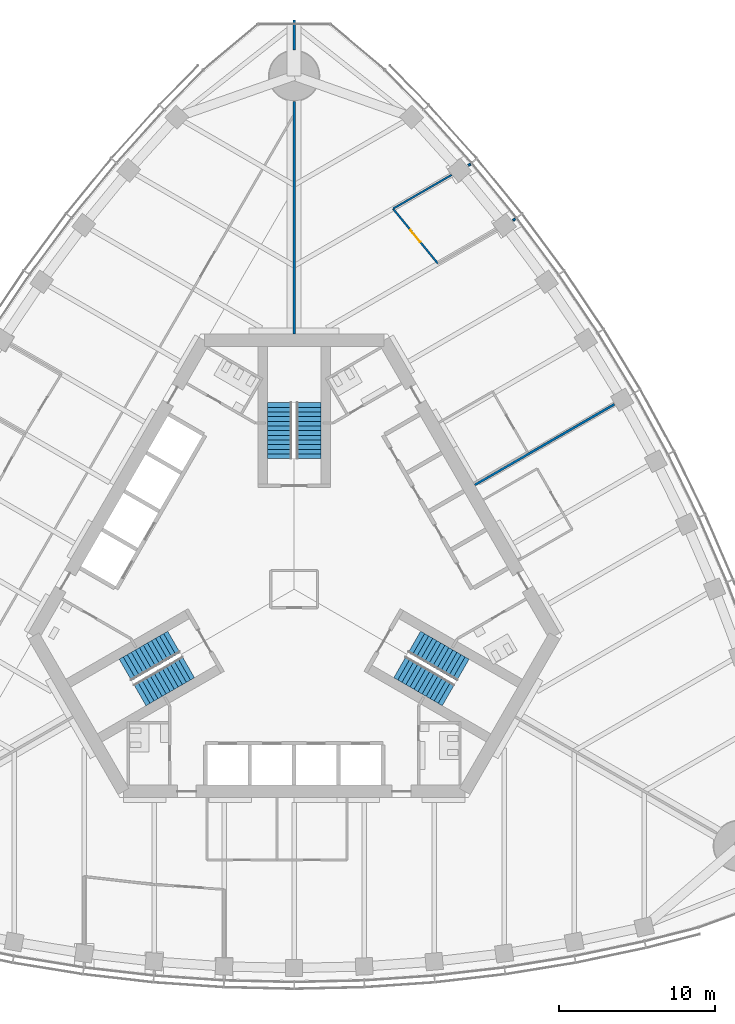
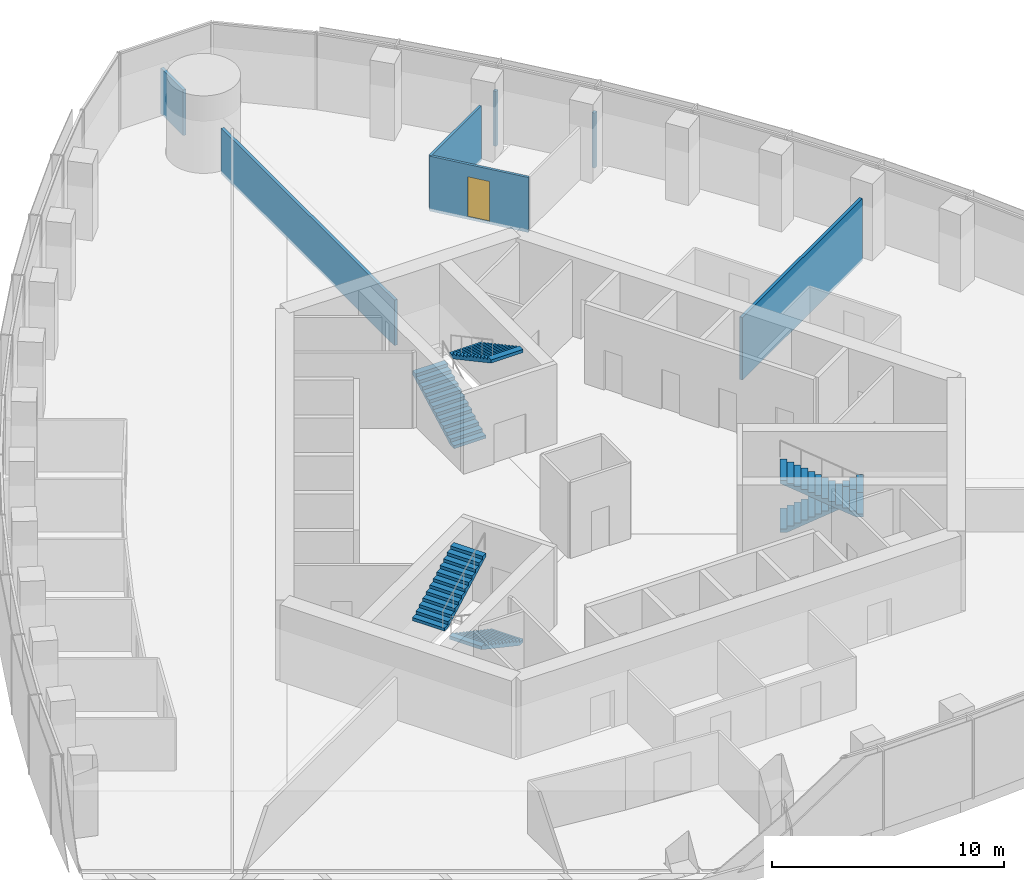
# One storey, part 14 of 19: 7 walls, 6 stair flights, 1 door, 1 opening, 3 elements without a shape of their own.
"""IFC4 building model written with IfcOpenShell, lengths in metres."""

import ifcopenshell
import ifcopenshell.guid

model = None  # the IFC model being written
_history = None  # IfcOwnerHistory: only IFC2X3 demands one
_inside = {}  # id of a spatial element -> (the spatial element, [elements in it])
_under = {}  # id of a project, library or spatial element -> (it, [spatial elements below it])
_declared = {}  # id of a project -> (the project, [libraries it declares])
_typed = {}  # id of a type object -> (the type object, [elements of that type])
_made_of = {}  # id of a material, layer set ... -> (it, [elements and type objects made of it])


def new_model(schema):
    """Start an empty IFC model of exactly this schema.

    Asked for "IFC4X3", IfcOpenShell would pick the latest addendum, in which some entities
    have other attributes; the version numbers below select the first issue.
    IFC2X3 requires an IfcOwnerHistory on every rooted entity: one is made here for all.
    """
    global model, _history
    if schema == "IFC4X3":
        model = ifcopenshell.file(schema_version=(4, 3, 0, 0))
    else:
        model = ifcopenshell.file(schema=schema)
    _inside.clear()
    _under.clear()
    _declared.clear()
    _typed.clear()
    _made_of.clear()
    _history = None
    if model.schema == "IFC2X3":
        org = make("IfcOrganization", Name="unknown")
        user = make(
            "IfcPersonAndOrganization",
            ThePerson=make("IfcPerson", FamilyName="unknown"),
            TheOrganization=org,
        )
        app = make(
            "IfcApplication",
            ApplicationDeveloper=org,
            Version="unknown",
            ApplicationFullName="unknown",
            ApplicationIdentifier="unknown",
        )
        _history = make(
            "IfcOwnerHistory",
            OwningUser=user,
            OwningApplication=app,
            ChangeAction="ADDED",
            CreationDate=0,
        )
    return model


def make(cls, **values):
    """One entity of the class cls with the attributes given. An attribute that is None is left unset."""
    return model.create_entity(
        cls, **{name: value for name, value in values.items() if value is not None}
    )


def rooted(cls, **values):
    """An entity with a GlobalId (a new one), such as an element, a storey or a relation."""
    return make(cls, GlobalId=ifcopenshell.guid.new(), OwnerHistory=_history, **values)


def si_unit(unit_type, name, prefix=None):
    """IfcSIUnit, for example si_unit("LENGTHUNIT", "METRE", prefix="MILLI")."""
    return make("IfcSIUnit", UnitType=unit_type, Prefix=prefix, Name=name)


def assignment(units):
    """IfcUnitAssignment: the units of a project."""
    return None if units is None else make("IfcUnitAssignment", Units=units)


def point(xyz):
    """IfcCartesianPoint."""
    return None if xyz is None else make("IfcCartesianPoint", Coordinates=xyz)


def direction(xyz):
    """IfcDirection."""
    return None if xyz is None else make("IfcDirection", DirectionRatios=xyz)


def frame(location, z_axis=None, x_axis=None):
    """IfcAxis2Placement3D, a coordinate frame: its origin and axes. An axis left out is left unset."""
    return make(
        "IfcAxis2Placement3D",
        Location=point(location),
        Axis=direction(z_axis),
        RefDirection=direction(x_axis),
    )


def frame_2d(location, x_axis=None):
    """IfcAxis2Placement2D, a coordinate frame in the plane: its origin and x axis."""
    return make(
        "IfcAxis2Placement2D", Location=point(location), RefDirection=direction(x_axis)
    )


def origin():
    """The frame at (0, 0, 0) with its axes left unset."""
    return frame((0.0, 0.0, 0.0))


def place(relative_to, where):
    """IfcLocalPlacement: puts the frame where relative to a parent placement (None: the world)."""
    return make(
        "IfcLocalPlacement", PlacementRelTo=relative_to, RelativePlacement=where
    )


def context(
    kind, dimensions, precision=None, world=None, true_north=None, identifier=None
):
    """IfcGeometricRepresentationContext, for example the 3D "Model" context."""
    return make(
        "IfcGeometricRepresentationContext",
        ContextIdentifier=identifier,
        ContextType=kind,
        CoordinateSpaceDimension=dimensions,
        Precision=precision,
        WorldCoordinateSystem=world,
        TrueNorth=true_north,
    )


def subcontext(parent, identifier, kind, view, scale=None):
    """IfcGeometricRepresentationSubContext, for example "Body" below "Model"."""
    return make(
        "IfcGeometricRepresentationSubContext",
        ContextIdentifier=identifier,
        ContextType=kind,
        ParentContext=parent,
        TargetScale=scale,
        TargetView=view,
    )


def project(units=None, contexts=None):
    """IfcProject with its units and contexts."""
    return rooted(
        "IfcProject",
        Name="project",
        RepresentationContexts=contexts,
        UnitsInContext=assignment(units),
    )


def spatial(cls, under=None, at=None, **own):
    """A site, building, storey or space (cls), placed at a placement, below another one or the project."""
    s = rooted(cls, ObjectPlacement=at, **own)
    if under is not None:
        _under.setdefault(under.id(), (under, []))[1].append(s)
    return s


def polyline(points):
    """IfcPolyline through the points."""
    return make("IfcPolyline", Points=[point(p) for p in points])


def profile(cls, at=None, kind="AREA", **sizes):
    """A parametric profile (cls). Its sizes go by their IFC names, for example OverallWidth=200.0."""
    return make(cls, ProfileType=kind, Position=at, **sizes)


def rectangle(**sizes):
    """IfcRectangleProfileDef."""
    return profile("IfcRectangleProfileDef", **sizes)


def outline(outer, holes=None, kind="AREA"):
    """IfcArbitraryClosedProfileDef: a profile drawn as a closed curve; with holes, ...WithVoids."""
    if holes is None:
        return make("IfcArbitraryClosedProfileDef", ProfileType=kind, OuterCurve=outer)
    return make(
        "IfcArbitraryProfileDefWithVoids",
        ProfileType=kind,
        OuterCurve=outer,
        InnerCurves=holes,
    )


def extrude(swept, where, along, depth):
    """IfcExtrudedAreaSolid: the profile swept, set in the frame where, extruded along a direction by depth."""
    return make(
        "IfcExtrudedAreaSolid",
        SweptArea=swept,
        Position=where,
        ExtrudedDirection=direction(along),
        Depth=depth,
    )


def shape(context_of_items, identifier, shape_type, items):
    """IfcShapeRepresentation: the items that make up one representation, for example the "Body"."""
    return make(
        "IfcShapeRepresentation",
        ContextOfItems=context_of_items,
        RepresentationIdentifier=identifier,
        RepresentationType=shape_type,
        Items=items,
    )


def material(Name=None, Category=None):
    """IfcMaterial."""
    return make("IfcMaterial", Name=Name, Category=Category)


def layer(
    of_material, thickness, ventilated=None, Name=None, Category=None, Priority=None
):
    """IfcMaterialLayer: one layer of a wall or slab, of a material (None: an air gap)."""
    return make(
        "IfcMaterialLayer",
        Material=of_material,
        LayerThickness=thickness,
        IsVentilated=ventilated,
        Name=Name,
        Category=Category,
        Priority=Priority,
    )


def layer_set(layers, Name=None):
    """IfcMaterialLayerSet."""
    return make("IfcMaterialLayerSet", MaterialLayers=layers, LayerSetName=Name)


def made_of(thing, what):
    """Note that an element or type object is made of a material, layer set ...; save() writes the relation."""
    if what is not None:
        _made_of.setdefault(what.id(), (what, []))[1].append(thing)
    return thing


def type_object(cls, material=None, **own):
    """A type object (cls), such as IfcWallType, which elements share."""
    return made_of(rooted(cls, **own), material)


def element(
    cls,
    number,
    at=None,
    inside=None,
    cuts=None,
    type_object=None,
    material=None,
    context=None,
    identifier="Body",
    shape_type=None,
    held_by="IfcProductDefinitionShape",
    body=None,
    shapes=None,
    **own,
):
    """One element of the class cls, such as IfcWall. Its Tag is "e" and its number.

    at: its placement. inside: the storey or other place that contains it. cuts: it is an
    opening in that element (IfcRelVoidsElement). A single representation is given by context,
    identifier, shape_type and body (its items); several are given by shapes. held_by: the class
    of the entity that holds the representations. save() writes the other relations.
    """
    e = rooted(cls, Tag="e%d" % number, ObjectPlacement=at, **own)
    if body is not None:
        shapes = [shape(context, identifier, shape_type, body)]
    if shapes is not None:
        e.Representation = make(held_by, Representations=shapes)
    if inside is not None:
        _inside.setdefault(inside.id(), (inside, []))[1].append(e)
    if cuts is not None:
        rooted(
            "IfcRelVoidsElement", RelatingBuildingElement=cuts, RelatedOpeningElement=e
        )
    if type_object is not None:
        _typed.setdefault(type_object.id(), (type_object, []))[1].append(e)
    return made_of(e, material)


def fill(opening, filler):
    """IfcRelFillsElement: the door or window that sits in an opening."""
    return rooted(
        "IfcRelFillsElement",
        RelatingOpeningElement=opening,
        RelatedBuildingElement=filler,
    )


def aggregate(whole, parts):
    """IfcRelAggregates: a whole, such as a stair, and the parts it consists of."""
    return rooted("IfcRelAggregates", RelatingObject=whole, RelatedObjects=parts)


def save(model, path):
    """Write the relations noted so far, then the file.

    IfcRelAggregates (storeys below a building ...), IfcRelContainedInSpatialStructure (elements
    in a storey), IfcRelDefinesByType, IfcRelAssociatesMaterial and IfcRelDeclares: one each for
    every whole, place, type object, material and project.
    """
    for whole, parts in _under.values():
        aggregate(whole, parts)
    for where, things in _inside.values():
        rooted(
            "IfcRelContainedInSpatialStructure",
            RelatedElements=things,
            RelatingStructure=where,
        )
    for kind, things in _typed.values():
        rooted("IfcRelDefinesByType", RelatedObjects=things, RelatingType=kind)
    for what, things in _made_of.values():
        rooted("IfcRelAssociatesMaterial", RelatedObjects=things, RelatingMaterial=what)
    for by, libraries in _declared.values():
        rooted("IfcRelDeclares", RelatingContext=by, RelatedDefinitions=libraries)
    model.write(path)


model = new_model("IFC4")

# Units and contexts
model_context = context("Model", 3, precision=1e-05, world=origin(), true_north=direction((0.0, 1.0)))
body_context = subcontext(model_context, "Body", "Model", "MODEL_VIEW")
ifc_project = project(units=[si_unit("LENGTHUNIT", "METRE"), si_unit("AREAUNIT", "SQUARE_METRE"), si_unit("VOLUMEUNIT", "CUBIC_METRE"), si_unit("PLANEANGLEUNIT", "RADIAN"), si_unit("MASSUNIT", "GRAM", prefix="KILO")], contexts=[model_context])

# Site, building, storey
site_placement = place(None, origin())
site = spatial("IfcSite", under=ifc_project, at=site_placement, CompositionType="ELEMENT")
building_placement = place(site_placement, origin())
building = spatial("IfcBuilding", under=site, at=building_placement, Name="Trefoil Bronze Tower", CompositionType="ELEMENT")
storey_placement = place(building_placement, frame((0.0, 0.0, 206.5)))
storey = spatial("IfcBuildingStorey", under=building, at=storey_placement, Name="L47", CompositionType="ELEMENT", Elevation=206.5)

# Wall, opening, door
ifc_material_1 = material(Name="Glazed partition", Category="glass")
ifc_layer_1 = layer(ifc_material_1, 0.1201171875)
ifc_layer_set_1 = layer_set([ifc_layer_1], Name="Glazed partition 120")
wall_type_1 = type_object("IfcWallType", Name="Glazed partition 120", PredefinedType="PARTITIONING", material=ifc_layer_set_1)
wall_1_placement = place(storey_placement, frame((9.2421875, 20.92431640625, 0.0), z_axis=(0.0, 0.0, 1.0), x_axis=(-0.632765292047, 0.774343647989, 0.0)))
wall_1 = element("IfcWall", 1, at=wall_1_placement, inside=storey, type_object=wall_type_1, Name="Partition F2 L47", PredefinedType="PARTITIONING", context=body_context, shape_type="SweptSolid", body=[
    extrude(rectangle(XDim=4.559326171875, YDim=0.1201171875, at=frame_2d((2.27978515625, 0.0))), origin(), (0.0, 0.0, 1.0), 2.89990234375),
])
opening_placement = place(wall_1_placement, frame((1.800048828125, 0.0, 0.14990234375)))
opening = element("IfcOpeningElement", 2, at=opening_placement, cuts=wall_1, Name="Opening D9", PredefinedType="OPENING", context=body_context, shape_type="SweptSolid", body=[
    extrude(rectangle(XDim=1.0, YDim=2.10009765625, at=frame_2d((0.5, 1.050048828125))), frame((0.0, 0.070068359375, 0.0), z_axis=(0.0, -1.0, 0.0), x_axis=(1.0, 0.0, 0.0)), (0.0, 0.0, 1.0), 0.14013671875),
])
ifc_material_2 = material(Name="Glazed timber door", Category="wood")
door_type = type_object("IfcDoorType", Name="Meeting room door 1000", OperationType="SINGLE_SWING_LEFT", PredefinedType="DOOR", material=ifc_material_2)
door_placement = place(opening_placement, frame((1.0, 0.0, 0.0), z_axis=(0.0, 0.0, 1.0), x_axis=(-1.0, 0.0, 0.0)))
door = element("IfcDoor", 3, at=door_placement, inside=storey, type_object=door_type, Name="Meeting room door F2 L47", OperationType="SINGLE_SWING_LEFT", OverallHeight=2.10009765625, OverallWidth=1.0, PredefinedType="DOOR", context=body_context, shape_type="SweptSolid", body=[
    extrude(rectangle(XDim=1.0, YDim=2.10009765625, at=frame_2d((0.5, 1.050048828125))), frame((0.0, 0.02490234375, 0.0), z_axis=(0.0, -1.0, 0.0), x_axis=(1.0, 0.0, 0.0)), (0.0, 0.0, 1.0), 0.050048828125),
])
fill(opening, door)

# Walls
wall_2_placement = place(storey_placement, frame((6.357177734375, 24.454833984375, 0.0), z_axis=(0.0, 0.0, 1.0), x_axis=(0.866025625133, 0.499999616612, 0.0)))
element("IfcWall", 4, at=wall_2_placement, inside=storey, type_object=wall_type_1, Name="Partition F2 L47", PredefinedType="PARTITIONING", context=body_context, shape_type="SweptSolid", body=[
    extrude(rectangle(XDim=4.34619140625, YDim=0.1201171875, at=frame_2d((2.173095703125, 0.0))), origin(), (0.0, 0.0, 1.0), 2.89990234375),
])
ifc_material_3 = material(Name="Gypsum board on steel studs", Category="steel")
ifc_layer_2 = layer(ifc_material_3, 0.14990234375)
ifc_layer_set_2 = layer_set([ifc_layer_2], Name="Partition 150")
wall_type_2 = type_object("IfcWallType", Name="Partition 150", PredefinedType="PARTITIONING", material=ifc_layer_set_2)
wall_3_placement = place(storey_placement, frame((14.063232421875, 23.707763671875, 0.0), z_axis=(0.0, 0.0, 1.0), x_axis=(0.865614066289, 0.500711781609, 0.0)))
element("IfcWall", 5, at=wall_3_placement, inside=storey, type_object=wall_type_2, Name="Partition F2 L47", PredefinedType="PARTITIONING", context=body_context, shape_type="SweptSolid", body=[
    extrude(rectangle(XDim=0.177978515625, YDim=0.14990234375, at=frame_2d((0.0888671875, 0.0))), origin(), (0.0, 0.0, 1.0), 2.89990234375),
])
wall_4_placement = place(storey_placement, frame((11.19140625, 27.245849609375, 0.0), z_axis=(0.0, 0.0, 1.0), x_axis=(0.865836232376, 0.500327511442, 0.0)))
element("IfcWall", 6, at=wall_4_placement, inside=storey, type_object=wall_type_2, Name="Partition F2 L47", PredefinedType="PARTITIONING", context=body_context, shape_type="SweptSolid", body=[
    extrude(rectangle(XDim=0.1630859375, YDim=0.14990234375, at=frame_2d((0.08154296875, 0.0))), origin(), (0.0, 0.0, 1.0), 2.89990234375),
])
ifc_material_4 = material(Name="Gypsum board on steel studs", Category="steel")
ifc_layer_3 = layer(ifc_material_4, 0.14990234375)
ifc_layer_set_3 = layer_set([ifc_layer_3], Name="Party wall 150")
wall_type_3 = type_object("IfcWallType", Name="Party wall 150", PredefinedType="PARTITIONING", material=ifc_layer_set_3)
wall_5_placement = place(storey_placement, frame((0.0, 16.39990234375, 0.0), z_axis=(0.0, 0.0, 1.0), x_axis=(0.0, 1.0, 0.0)))
element("IfcWall", 7, at=wall_5_placement, inside=storey, type_object=wall_type_3, Name="Party wall K2 L47", PredefinedType="PARTITIONING", context=body_context, shape_type="SweptSolid", body=[
    extrude(rectangle(XDim=14.9501953125, YDim=0.14990234375, at=frame_2d((7.47509765625, 0.0))), origin(), (0.0, 0.0, 1.0), 2.39990234375),
])
wall_6_placement = place(storey_placement, frame((0.0, 34.64990234375, 0.0), z_axis=(0.0, 0.0, 1.0), x_axis=(0.0, 1.0, 0.0)))
element("IfcWall", 8, at=wall_6_placement, inside=storey, type_object=wall_type_3, Name="Party wall K2 L47", PredefinedType="PARTITIONING", context=body_context, shape_type="SweptSolid", body=[
    extrude(rectangle(XDim=1.934814453125, YDim=0.14990234375, at=frame_2d((0.96728515625, 0.0))), origin(), (0.0, 0.0, 1.0), 2.39990234375),
])
wall_7_placement = place(storey_placement, frame((11.61328125, 6.705078125, 0.0), z_axis=(0.0, 0.0, 1.0), x_axis=(0.86603333284, 0.499986266222, 0.0)))
element("IfcWall", 9, at=wall_7_placement, inside=storey, type_object=wall_type_3, Name="Demising wall F2 L47", PredefinedType="PARTITIONING", context=body_context, shape_type="SweptSolid", body=[
    extrude(rectangle(XDim=10.360595703125, YDim=0.14990234375, at=frame_2d((5.18017578125, 0.0))), origin(), (0.0, 0.0, 1.0), 3.300048828125),
])

# Stair, stair flights
ifc_material_5 = material(Name="Precast concrete B80", Category="concrete")
stair_type = type_object("IfcStairType", Name="Exit stair 26 risers", PredefinedType="HALF_TURN_STAIR", material=ifc_material_5)
stair_1_placement = place(storey_placement, origin())
stair_1 = element("IfcStair", 10, at=stair_1_placement, inside=storey, type_object=stair_type, Name="Stair ST1 L47", PredefinedType="HALF_TURN_STAIR")
ifc_material_6 = material(Name="Precast concrete B80", Category="concrete")
stair_flight_type = type_object("IfcStairFlightType", Name="Stair flight 1600", PredefinedType="STRAIGHT", material=ifc_material_6)
stair_flight_1_placement = place(storey_placement, frame((7.728515625, -3.39404296875, 0.0), z_axis=(0.0, 0.0, 1.0), x_axis=(0.866025403784, -0.5, 0.0)))
stair_flight_1 = element("IfcStairFlight", 11, at=stair_flight_1_placement, type_object=stair_flight_type, Name="ST1 flight 1", NumberOfRisers=13, NumberOfTreads=12, PredefinedType="STRAIGHT", RiserHeight=0.161538462, TreadLength=0.3, context=body_context, shape_type="SweptSolid", body=[
    extrude(outline(polyline([(0.0, 0.0), (0.0, 0.16162109375), (0.300048828125, 0.16162109375), (0.300048828125, 0.322998046875), (0.60009765625, 0.322998046875), (0.60009765625, 0.484619140625), (0.89990234375, 0.484619140625), (0.89990234375, 0.646240234375), (1.199951171875, 0.646240234375), (1.199951171875, 0.8076171875), (1.5, 0.8076171875), (1.5, 0.96923828125), (1.800048828125, 0.96923828125), (1.800048828125, 1.130859375), (2.10009765625, 1.130859375), (2.10009765625, 1.292236328125), (2.39990234375, 1.292236328125), (2.39990234375, 1.453857421875), (2.699951171875, 1.453857421875), (2.699951171875, 1.615478515625), (3.0, 1.615478515625), (3.0, 1.77685546875), (3.300048828125, 1.77685546875), (3.300048828125, 1.9384765625), (3.60009765625, 1.9384765625), (3.60009765625, 2.10009765625), (3.60009765625, 1.768310546875), (0.316162109375, 0.0), (0.0, 0.0)])), frame((0.0, 0.800048828125, 0.0), z_axis=(0.0, -1.0, 0.0), x_axis=(1.0, 0.0, 0.0)), (0.0, 0.0, 1.0), 1.60009765625),
])
stair_flight_2_placement = place(storey_placement, frame((9.921142578125, -6.796142578125, 2.10009765625), z_axis=(0.0, 0.0, 1.0), x_axis=(-0.866025403784, 0.5, 0.0)))
stair_flight_2 = element("IfcStairFlight", 12, at=stair_flight_2_placement, type_object=stair_flight_type, Name="ST1 flight 2", NumberOfRisers=13, NumberOfTreads=12, PredefinedType="STRAIGHT", RiserHeight=0.161538462, TreadLength=0.3, context=body_context, shape_type="SweptSolid", body=[
    extrude(outline(polyline([(0.0, 0.0), (0.0, 0.16162109375), (0.300048828125, 0.16162109375), (0.300048828125, 0.322998046875), (0.60009765625, 0.322998046875), (0.60009765625, 0.484619140625), (0.89990234375, 0.484619140625), (0.89990234375, 0.646240234375), (1.199951171875, 0.646240234375), (1.199951171875, 0.8076171875), (1.5, 0.8076171875), (1.5, 0.96923828125), (1.800048828125, 0.96923828125), (1.800048828125, 1.130859375), (2.10009765625, 1.130859375), (2.10009765625, 1.292236328125), (2.39990234375, 1.292236328125), (2.39990234375, 1.453857421875), (2.699951171875, 1.453857421875), (2.699951171875, 1.615478515625), (3.0, 1.615478515625), (3.0, 1.77685546875), (3.300048828125, 1.77685546875), (3.300048828125, 1.9384765625), (3.60009765625, 1.9384765625), (3.60009765625, 2.10009765625), (3.60009765625, 1.768310546875), (0.316162109375, 0.0), (0.0, 0.0)])), frame((0.0, 0.800048828125, 0.0), z_axis=(0.0, -1.0, 0.0), x_axis=(1.0, 0.0, 0.0)), (0.0, 0.0, 1.0), 1.60009765625),
])
aggregate(stair_1, [stair_flight_1, stair_flight_2])

stair_2_placement = place(storey_placement, origin())
stair_2 = element("IfcStair", 13, at=stair_2_placement, inside=storey, type_object=stair_type, Name="Stair ST2 L47", PredefinedType="HALF_TURN_STAIR")
stair_flight_3_placement = place(storey_placement, frame((-0.925048828125, 8.389892578125, 0.0), z_axis=(0.0, 0.0, 1.0), x_axis=(0.0, 1.0, 0.0)))
stair_flight_3 = element("IfcStairFlight", 14, at=stair_flight_3_placement, type_object=stair_flight_type, Name="ST2 flight 1", NumberOfRisers=13, NumberOfTreads=12, PredefinedType="STRAIGHT", RiserHeight=0.161538462, TreadLength=0.3, context=body_context, shape_type="SweptSolid", body=[
    extrude(outline(polyline([(0.0, 0.0), (0.0, 0.16162109375), (0.300048828125, 0.16162109375), (0.300048828125, 0.322998046875), (0.60009765625, 0.322998046875), (0.60009765625, 0.484619140625), (0.89990234375, 0.484619140625), (0.89990234375, 0.646240234375), (1.199951171875, 0.646240234375), (1.199951171875, 0.8076171875), (1.5, 0.8076171875), (1.5, 0.96923828125), (1.800048828125, 0.96923828125), (1.800048828125, 1.130859375), (2.10009765625, 1.130859375), (2.10009765625, 1.292236328125), (2.39990234375, 1.292236328125), (2.39990234375, 1.453857421875), (2.699951171875, 1.453857421875), (2.699951171875, 1.615478515625), (3.0, 1.615478515625), (3.0, 1.77685546875), (3.300048828125, 1.77685546875), (3.300048828125, 1.9384765625), (3.60009765625, 1.9384765625), (3.60009765625, 2.10009765625), (3.60009765625, 1.768310546875), (0.316162109375, 0.0), (0.0, 0.0)])), frame((0.0, 0.800048828125, 0.0), z_axis=(0.0, -1.0, 0.0), x_axis=(1.0, 0.0, 0.0)), (0.0, 0.0, 1.0), 1.60009765625),
])
stair_flight_4_placement = place(storey_placement, frame((0.925048828125, 11.989990234375, 2.10009765625), z_axis=(0.0, 0.0, 1.0), x_axis=(0.0, -1.0, 0.0)))
stair_flight_4 = element("IfcStairFlight", 15, at=stair_flight_4_placement, type_object=stair_flight_type, Name="ST2 flight 2", NumberOfRisers=13, NumberOfTreads=12, PredefinedType="STRAIGHT", RiserHeight=0.161538462, TreadLength=0.3, context=body_context, shape_type="SweptSolid", body=[
    extrude(outline(polyline([(0.0, 0.0), (0.0, 0.16162109375), (0.300048828125, 0.16162109375), (0.300048828125, 0.322998046875), (0.60009765625, 0.322998046875), (0.60009765625, 0.484619140625), (0.89990234375, 0.484619140625), (0.89990234375, 0.646240234375), (1.199951171875, 0.646240234375), (1.199951171875, 0.8076171875), (1.5, 0.8076171875), (1.5, 0.96923828125), (1.800048828125, 0.96923828125), (1.800048828125, 1.130859375), (2.10009765625, 1.130859375), (2.10009765625, 1.292236328125), (2.39990234375, 1.292236328125), (2.39990234375, 1.453857421875), (2.699951171875, 1.453857421875), (2.699951171875, 1.615478515625), (3.0, 1.615478515625), (3.0, 1.77685546875), (3.300048828125, 1.77685546875), (3.300048828125, 1.9384765625), (3.60009765625, 1.9384765625), (3.60009765625, 2.10009765625), (3.60009765625, 1.768310546875), (0.316162109375, 0.0), (0.0, 0.0)])), frame((0.0, 0.800048828125, 0.0), z_axis=(0.0, -1.0, 0.0), x_axis=(1.0, 0.0, 0.0)), (0.0, 0.0, 1.0), 1.60009765625),
])
aggregate(stair_2, [stair_flight_3, stair_flight_4])

stair_3_placement = place(storey_placement, origin())
stair_3 = element("IfcStair", 16, at=stair_3_placement, inside=storey, type_object=stair_type, Name="Stair ST3 L47", PredefinedType="HALF_TURN_STAIR")
stair_flight_5_placement = place(storey_placement, frame((-6.803466796875, -4.99609375, 0.0), z_axis=(0.0, 0.0, 1.0), x_axis=(-0.866025403784, -0.5, 0.0)))
stair_flight_5 = element("IfcStairFlight", 17, at=stair_flight_5_placement, type_object=stair_flight_type, Name="ST3 flight 1", NumberOfRisers=13, NumberOfTreads=12, PredefinedType="STRAIGHT", RiserHeight=0.161538462, TreadLength=0.3, context=body_context, shape_type="SweptSolid", body=[
    extrude(outline(polyline([(0.0, 0.0), (0.0, 0.16162109375), (0.300048828125, 0.16162109375), (0.300048828125, 0.322998046875), (0.60009765625, 0.322998046875), (0.60009765625, 0.484619140625), (0.89990234375, 0.484619140625), (0.89990234375, 0.646240234375), (1.199951171875, 0.646240234375), (1.199951171875, 0.8076171875), (1.5, 0.8076171875), (1.5, 0.96923828125), (1.800048828125, 0.96923828125), (1.800048828125, 1.130859375), (2.10009765625, 1.130859375), (2.10009765625, 1.292236328125), (2.39990234375, 1.292236328125), (2.39990234375, 1.453857421875), (2.699951171875, 1.453857421875), (2.699951171875, 1.615478515625), (3.0, 1.615478515625), (3.0, 1.77685546875), (3.300048828125, 1.77685546875), (3.300048828125, 1.9384765625), (3.60009765625, 1.9384765625), (3.60009765625, 2.10009765625), (3.60009765625, 1.768310546875), (0.316162109375, 0.0), (0.0, 0.0)])), frame((0.0, 0.800048828125, 0.0), z_axis=(0.0, -1.0, 0.0), x_axis=(1.0, 0.0, 0.0)), (0.0, 0.0, 1.0), 1.60009765625),
])
stair_flight_6_placement = place(storey_placement, frame((-10.84619140625, -5.19384765625, 2.10009765625), z_axis=(0.0, 0.0, 1.0), x_axis=(0.866025403784, 0.5, 0.0)))
stair_flight_6 = element("IfcStairFlight", 18, at=stair_flight_6_placement, type_object=stair_flight_type, Name="ST3 flight 2", NumberOfRisers=13, NumberOfTreads=12, PredefinedType="STRAIGHT", RiserHeight=0.161538462, TreadLength=0.3, context=body_context, shape_type="SweptSolid", body=[
    extrude(outline(polyline([(0.0, 0.0), (0.0, 0.16162109375), (0.300048828125, 0.16162109375), (0.300048828125, 0.322998046875), (0.60009765625, 0.322998046875), (0.60009765625, 0.484619140625), (0.89990234375, 0.484619140625), (0.89990234375, 0.646240234375), (1.199951171875, 0.646240234375), (1.199951171875, 0.8076171875), (1.5, 0.8076171875), (1.5, 0.96923828125), (1.800048828125, 0.96923828125), (1.800048828125, 1.130859375), (2.10009765625, 1.130859375), (2.10009765625, 1.292236328125), (2.39990234375, 1.292236328125), (2.39990234375, 1.453857421875), (2.699951171875, 1.453857421875), (2.699951171875, 1.615478515625), (3.0, 1.615478515625), (3.0, 1.77685546875), (3.300048828125, 1.77685546875), (3.300048828125, 1.9384765625), (3.60009765625, 1.9384765625), (3.60009765625, 2.10009765625), (3.60009765625, 1.768310546875), (0.316162109375, 0.0), (0.0, 0.0)])), frame((0.0, 0.800048828125, 0.0), z_axis=(0.0, -1.0, 0.0), x_axis=(1.0, 0.0, 0.0)), (0.0, 0.0, 1.0), 1.60009765625),
])
aggregate(stair_3, [stair_flight_5, stair_flight_6])

save(model, "model.ifc")
